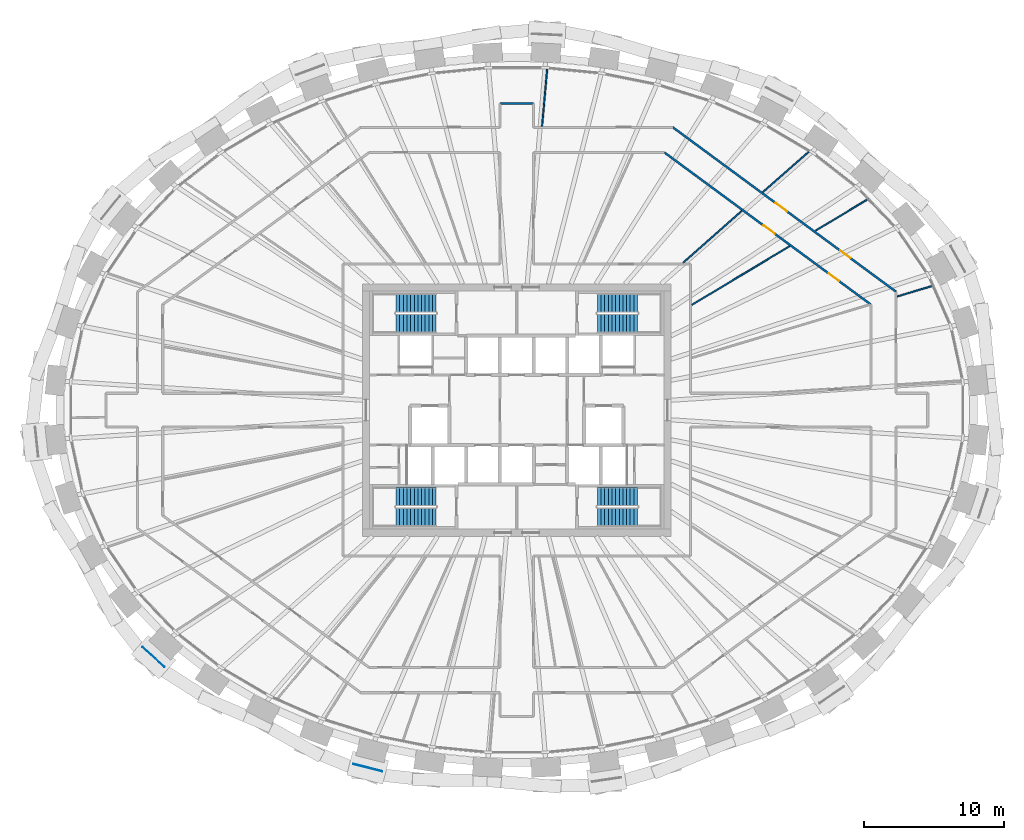
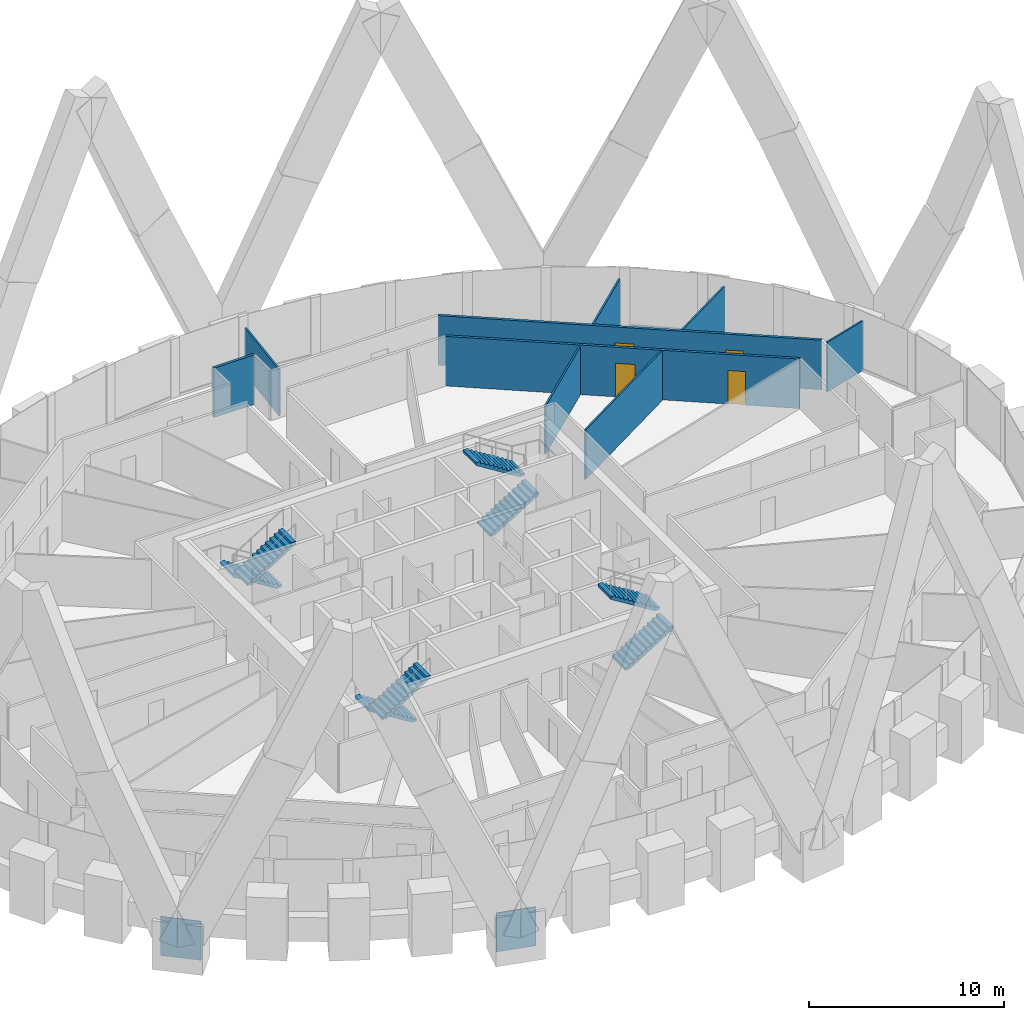
# One storey, part 12 of 14: 9 walls, 8 stair flights, 4 doors, 2 discrete accessories, 4 openings, 4 elements without a shape of their own.
"""IFC4 building model written with IfcOpenShell, lengths in metres."""

import ifcopenshell
import ifcopenshell.guid

model = None  # the IFC model being written
_history = None  # IfcOwnerHistory: only IFC2X3 demands one
_inside = {}  # id of a spatial element -> (the spatial element, [elements in it])
_under = {}  # id of a project, library or spatial element -> (it, [spatial elements below it])
_declared = {}  # id of a project -> (the project, [libraries it declares])
_typed = {}  # id of a type object -> (the type object, [elements of that type])
_made_of = {}  # id of a material, layer set ... -> (it, [elements and type objects made of it])


def new_model(schema):
    """Start an empty IFC model of exactly this schema.

    Asked for "IFC4X3", IfcOpenShell would pick the latest addendum, in which some entities
    have other attributes; the version numbers below select the first issue.
    IFC2X3 requires an IfcOwnerHistory on every rooted entity: one is made here for all.
    """
    global model, _history
    if schema == "IFC4X3":
        model = ifcopenshell.file(schema_version=(4, 3, 0, 0))
    else:
        model = ifcopenshell.file(schema=schema)
    _inside.clear()
    _under.clear()
    _declared.clear()
    _typed.clear()
    _made_of.clear()
    _history = None
    if model.schema == "IFC2X3":
        org = make("IfcOrganization", Name="unknown")
        user = make(
            "IfcPersonAndOrganization",
            ThePerson=make("IfcPerson", FamilyName="unknown"),
            TheOrganization=org,
        )
        app = make(
            "IfcApplication",
            ApplicationDeveloper=org,
            Version="unknown",
            ApplicationFullName="unknown",
            ApplicationIdentifier="unknown",
        )
        _history = make(
            "IfcOwnerHistory",
            OwningUser=user,
            OwningApplication=app,
            ChangeAction="ADDED",
            CreationDate=0,
        )
    return model


def make(cls, **values):
    """One entity of the class cls with the attributes given. An attribute that is None is left unset."""
    return model.create_entity(
        cls, **{name: value for name, value in values.items() if value is not None}
    )


def rooted(cls, **values):
    """An entity with a GlobalId (a new one), such as an element, a storey or a relation."""
    return make(cls, GlobalId=ifcopenshell.guid.new(), OwnerHistory=_history, **values)


def si_unit(unit_type, name, prefix=None):
    """IfcSIUnit, for example si_unit("LENGTHUNIT", "METRE", prefix="MILLI")."""
    return make("IfcSIUnit", UnitType=unit_type, Prefix=prefix, Name=name)


def assignment(units):
    """IfcUnitAssignment: the units of a project."""
    return None if units is None else make("IfcUnitAssignment", Units=units)


def point(xyz):
    """IfcCartesianPoint."""
    return None if xyz is None else make("IfcCartesianPoint", Coordinates=xyz)


def direction(xyz):
    """IfcDirection."""
    return None if xyz is None else make("IfcDirection", DirectionRatios=xyz)


def frame(location, z_axis=None, x_axis=None):
    """IfcAxis2Placement3D, a coordinate frame: its origin and axes. An axis left out is left unset."""
    return make(
        "IfcAxis2Placement3D",
        Location=point(location),
        Axis=direction(z_axis),
        RefDirection=direction(x_axis),
    )


def frame_2d(location, x_axis=None):
    """IfcAxis2Placement2D, a coordinate frame in the plane: its origin and x axis."""
    return make(
        "IfcAxis2Placement2D", Location=point(location), RefDirection=direction(x_axis)
    )


def origin():
    """The frame at (0, 0, 0) with its axes left unset."""
    return frame((0.0, 0.0, 0.0))


def origin_2d():
    """The frame at (0, 0) in the plane with its x axis left unset."""
    return frame_2d((0.0, 0.0))


def place(relative_to, where):
    """IfcLocalPlacement: puts the frame where relative to a parent placement (None: the world)."""
    return make(
        "IfcLocalPlacement", PlacementRelTo=relative_to, RelativePlacement=where
    )


def context(
    kind, dimensions, precision=None, world=None, true_north=None, identifier=None
):
    """IfcGeometricRepresentationContext, for example the 3D "Model" context."""
    return make(
        "IfcGeometricRepresentationContext",
        ContextIdentifier=identifier,
        ContextType=kind,
        CoordinateSpaceDimension=dimensions,
        Precision=precision,
        WorldCoordinateSystem=world,
        TrueNorth=true_north,
    )


def subcontext(parent, identifier, kind, view, scale=None):
    """IfcGeometricRepresentationSubContext, for example "Body" below "Model"."""
    return make(
        "IfcGeometricRepresentationSubContext",
        ContextIdentifier=identifier,
        ContextType=kind,
        ParentContext=parent,
        TargetScale=scale,
        TargetView=view,
    )


def project(units=None, contexts=None):
    """IfcProject with its units and contexts."""
    return rooted(
        "IfcProject",
        Name="project",
        RepresentationContexts=contexts,
        UnitsInContext=assignment(units),
    )


def spatial(cls, under=None, at=None, **own):
    """A site, building, storey or space (cls), placed at a placement, below another one or the project."""
    s = rooted(cls, ObjectPlacement=at, **own)
    if under is not None:
        _under.setdefault(under.id(), (under, []))[1].append(s)
    return s


def polyline(points):
    """IfcPolyline through the points."""
    return make("IfcPolyline", Points=[point(p) for p in points])


def profile(cls, at=None, kind="AREA", **sizes):
    """A parametric profile (cls). Its sizes go by their IFC names, for example OverallWidth=200.0."""
    return make(cls, ProfileType=kind, Position=at, **sizes)


def rectangle(**sizes):
    """IfcRectangleProfileDef."""
    return profile("IfcRectangleProfileDef", **sizes)


def outline(outer, holes=None, kind="AREA"):
    """IfcArbitraryClosedProfileDef: a profile drawn as a closed curve; with holes, ...WithVoids."""
    if holes is None:
        return make("IfcArbitraryClosedProfileDef", ProfileType=kind, OuterCurve=outer)
    return make(
        "IfcArbitraryProfileDefWithVoids",
        ProfileType=kind,
        OuterCurve=outer,
        InnerCurves=holes,
    )


def extrude(swept, where, along, depth):
    """IfcExtrudedAreaSolid: the profile swept, set in the frame where, extruded along a direction by depth."""
    return make(
        "IfcExtrudedAreaSolid",
        SweptArea=swept,
        Position=where,
        ExtrudedDirection=direction(along),
        Depth=depth,
    )


def shape(context_of_items, identifier, shape_type, items):
    """IfcShapeRepresentation: the items that make up one representation, for example the "Body"."""
    return make(
        "IfcShapeRepresentation",
        ContextOfItems=context_of_items,
        RepresentationIdentifier=identifier,
        RepresentationType=shape_type,
        Items=items,
    )


def source(mapping_origin, context_of_items, identifier, shape_type, items):
    """IfcRepresentationMap: a shape defined once, which mapped items show again and again."""
    return make(
        "IfcRepresentationMap",
        MappingOrigin=mapping_origin,
        MappedRepresentation=shape(context_of_items, identifier, shape_type, items),
    )


def transform(
    local_origin,
    x_axis=None,
    y_axis=None,
    z_axis=None,
    scale=None,
    scale2=None,
    scale3=None,
    uniform=True,
):
    """IfcCartesianTransformationOperator3D, or its non-uniform kind. x_axis, y_axis, z_axis: its Axis1, 2, 3."""
    if uniform:
        return make(
            "IfcCartesianTransformationOperator3D",
            Axis1=direction(x_axis),
            Axis2=direction(y_axis),
            LocalOrigin=point(local_origin),
            Scale=scale,
            Axis3=direction(z_axis),
        )
    return make(
        "IfcCartesianTransformationOperator3DnonUniform",
        Axis1=direction(x_axis),
        Axis2=direction(y_axis),
        LocalOrigin=point(local_origin),
        Scale=scale,
        Axis3=direction(z_axis),
        Scale2=scale2,
        Scale3=scale3,
    )


def mapped(mapping_source, mapping_target):
    """IfcMappedItem: shows the shape of a source again, moved by a transform."""
    return make(
        "IfcMappedItem", MappingSource=mapping_source, MappingTarget=mapping_target
    )


def material(Name=None, Category=None):
    """IfcMaterial."""
    return make("IfcMaterial", Name=Name, Category=Category)


def layer(
    of_material, thickness, ventilated=None, Name=None, Category=None, Priority=None
):
    """IfcMaterialLayer: one layer of a wall or slab, of a material (None: an air gap)."""
    return make(
        "IfcMaterialLayer",
        Material=of_material,
        LayerThickness=thickness,
        IsVentilated=ventilated,
        Name=Name,
        Category=Category,
        Priority=Priority,
    )


def layer_set(layers, Name=None):
    """IfcMaterialLayerSet."""
    return make("IfcMaterialLayerSet", MaterialLayers=layers, LayerSetName=Name)


def made_of(thing, what):
    """Note that an element or type object is made of a material, layer set ...; save() writes the relation."""
    if what is not None:
        _made_of.setdefault(what.id(), (what, []))[1].append(thing)
    return thing


def type_object(cls, material=None, **own):
    """A type object (cls), such as IfcWallType, which elements share."""
    return made_of(rooted(cls, **own), material)


def element(
    cls,
    number,
    at=None,
    inside=None,
    cuts=None,
    type_object=None,
    material=None,
    context=None,
    identifier="Body",
    shape_type=None,
    held_by="IfcProductDefinitionShape",
    body=None,
    shapes=None,
    **own,
):
    """One element of the class cls, such as IfcWall. Its Tag is "e" and its number.

    at: its placement. inside: the storey or other place that contains it. cuts: it is an
    opening in that element (IfcRelVoidsElement). A single representation is given by context,
    identifier, shape_type and body (its items); several are given by shapes. held_by: the class
    of the entity that holds the representations. save() writes the other relations.
    """
    e = rooted(cls, Tag="e%d" % number, ObjectPlacement=at, **own)
    if body is not None:
        shapes = [shape(context, identifier, shape_type, body)]
    if shapes is not None:
        e.Representation = make(held_by, Representations=shapes)
    if inside is not None:
        _inside.setdefault(inside.id(), (inside, []))[1].append(e)
    if cuts is not None:
        rooted(
            "IfcRelVoidsElement", RelatingBuildingElement=cuts, RelatedOpeningElement=e
        )
    if type_object is not None:
        _typed.setdefault(type_object.id(), (type_object, []))[1].append(e)
    return made_of(e, material)


def fill(opening, filler):
    """IfcRelFillsElement: the door or window that sits in an opening."""
    return rooted(
        "IfcRelFillsElement",
        RelatingOpeningElement=opening,
        RelatedBuildingElement=filler,
    )


def aggregate(whole, parts):
    """IfcRelAggregates: a whole, such as a stair, and the parts it consists of."""
    return rooted("IfcRelAggregates", RelatingObject=whole, RelatedObjects=parts)


def save(model, path):
    """Write the relations noted so far, then the file.

    IfcRelAggregates (storeys below a building ...), IfcRelContainedInSpatialStructure (elements
    in a storey), IfcRelDefinesByType, IfcRelAssociatesMaterial and IfcRelDeclares: one each for
    every whole, place, type object, material and project.
    """
    for whole, parts in _under.values():
        aggregate(whole, parts)
    for where, things in _inside.values():
        rooted(
            "IfcRelContainedInSpatialStructure",
            RelatedElements=things,
            RelatingStructure=where,
        )
    for kind, things in _typed.values():
        rooted("IfcRelDefinesByType", RelatedObjects=things, RelatingType=kind)
    for what, things in _made_of.values():
        rooted("IfcRelAssociatesMaterial", RelatedObjects=things, RelatingMaterial=what)
    for by, libraries in _declared.values():
        rooted("IfcRelDeclares", RelatingContext=by, RelatedDefinitions=libraries)
    model.write(path)


model = new_model("IFC4")

# Units and contexts
model_context = context("Model", 3, precision=1e-05, world=origin(), true_north=direction((0.0, 1.0)))
body_context = subcontext(model_context, "Body", "Model", "MODEL_VIEW")
ifc_project = project(units=[si_unit("LENGTHUNIT", "METRE"), si_unit("AREAUNIT", "SQUARE_METRE"), si_unit("VOLUMEUNIT", "CUBIC_METRE"), si_unit("PLANEANGLEUNIT", "RADIAN"), si_unit("MASSUNIT", "GRAM", prefix="KILO")], contexts=[model_context])

# Site, building, storey
site_placement = place(None, origin())
site = spatial("IfcSite", under=ifc_project, at=site_placement, CompositionType="ELEMENT")
building_placement = place(site_placement, origin())
building = spatial("IfcBuilding", under=site, at=building_placement, Name="Embergate Tower", CompositionType="ELEMENT")
storey_placement = place(building_placement, frame((0.0, 0.0, 257.800048828125)))
storey = spatial("IfcBuildingStorey", under=building, at=storey_placement, Name="L59", CompositionType="ELEMENT", Elevation=257.800048828125)

# Wall
ifc_material_1 = material(Name="Corridor wall dry-lined 150")
ifc_layer_1 = layer(ifc_material_1, 0.14990234375)
ifc_layer_set_1 = layer_set([ifc_layer_1], Name="Corridor wall dry-lined 150")
wall_type_1 = type_object("IfcWallType", Name="Corridor wall dry-lined 150", PredefinedType="PARTITIONING", material=ifc_layer_set_1)
shared_shape_1 = source(origin(), body_context, "Body", "SweptSolid", [
    extrude(rectangle(XDim=2.39990234375, YDim=0.14990234375, at=frame_2d((1.199951171875, 0.0))), origin(), (0.0, 0.0, 1.0), 3.099853515625),
])
wall_1_placement = place(storey_placement, frame((-1.199951171875, 21.845947265625, 0.0), z_axis=(0.0, 0.0, 1.0), x_axis=(1.0, 0.0, 0.0)))
element("IfcWall", 1, at=wall_1_placement, inside=storey, type_object=wall_type_1, Name="IP-2 wall", PredefinedType="PARTITIONING", context=body_context, shape_type="MappedRepresentation", body=[
    mapped(shared_shape_1, transform((0.0, 0.0, 0.0))),
])

# Wall, openings, doors
shared_shape_2 = source(origin(), body_context, "Body", "SweptSolid", [
    extrude(rectangle(XDim=19.77294921875, YDim=0.14990234375, at=frame_2d((9.886474609375, 0.0))), origin(), (0.0, 0.0, 1.0), 3.099853515625),
])
wall_2_placement = place(storey_placement, frame((27.0458984375, 8.431884765625, 0.0), z_axis=(0.0, 0.0, 1.0), x_axis=(-0.805138380898, 0.593086998344, 0.0)))
wall_2 = element("IfcWall", 2, at=wall_2_placement, inside=storey, type_object=wall_type_1, Name="IP-2 wall", PredefinedType="PARTITIONING", context=body_context, shape_type="MappedRepresentation", body=[
    mapped(shared_shape_2, transform((0.0, 0.0, 0.0))),
])
shared_shape_3 = source(origin(), body_context, "Body", "SweptSolid", [
    extrude(rectangle(XDim=0.89990234375, YDim=2.10009765625, at=frame_2d((0.449951171875, 1.050048828125))), frame((0.0, 0.0849609375, 0.0), z_axis=(0.0, -1.0, 0.0), x_axis=(1.0, 0.0, 0.0)), (0.0, 0.0, 1.0), 0.169921875),
])
opening_1_placement = place(wall_2_placement, frame((4.04248046875, 0.0, 0.0)))
opening_1 = element("IfcOpeningElement", 3, at=opening_1_placement, cuts=wall_2, Name="Opening IF-1c", PredefinedType="OPENING", context=body_context, shape_type="MappedRepresentation", body=[
    mapped(shared_shape_3, transform((0.0, 0.0, 0.0))),
])
shared_shape_4 = source(origin(), body_context, "Body", "SweptSolid", [
    extrude(rectangle(XDim=1.0, YDim=2.10009765625, at=frame_2d((0.5, 1.050048828125))), frame((0.0, 0.0849609375, 0.0), z_axis=(0.0, -1.0, 0.0), x_axis=(1.0, 0.0, 0.0)), (0.0, 0.0, 1.0), 0.169921875),
])
opening_2_placement = place(wall_2_placement, frame((9.669677734375, 0.0, 0.0)))
opening_2 = element("IfcOpeningElement", 4, at=opening_2_placement, cuts=wall_2, Name="Opening ID-2", PredefinedType="OPENING", context=body_context, shape_type="MappedRepresentation", body=[
    mapped(shared_shape_4, transform((0.0, 0.0, 0.0))),
])
ifc_material_2 = material(Name="Escape fire door 900")
door_type_1 = type_object("IfcDoorType", Name="Escape fire door 900", OperationType="SINGLE_SWING_LEFT", PredefinedType="DOOR", material=ifc_material_2)
shared_shape_5 = source(origin(), body_context, "Body", "SweptSolid", [
    extrude(rectangle(XDim=0.89990234375, YDim=2.10009765625, at=frame_2d((0.449951171875, 1.050048828125))), frame((0.0, 0.02490234375, 0.0), z_axis=(0.0, -1.0, 0.0), x_axis=(1.0, 0.0, 0.0)), (0.0, 0.0, 1.0), 0.050048828125),
])
door_1_placement = place(opening_1_placement, origin())
door_1 = element("IfcDoor", 5, at=door_1_placement, inside=storey, type_object=door_type_1, Name="IF-1 door", OperationType="SINGLE_SWING_RIGHT", OverallHeight=2.10009765625, OverallWidth=0.89990234375, PredefinedType="DOOR", context=body_context, shape_type="MappedRepresentation", body=[
    mapped(shared_shape_5, transform((0.0, 0.0, 0.0))),
])
fill(opening_1, door_1)
ifc_material_3 = material(Name="Interior door 1000")
door_type_2 = type_object("IfcDoorType", Name="Interior door 1000", OperationType="SINGLE_SWING_LEFT", PredefinedType="DOOR", material=ifc_material_3)
shared_shape_6 = source(origin(), body_context, "Body", "SweptSolid", [
    extrude(rectangle(XDim=1.0, YDim=2.10009765625, at=frame_2d((0.5, 1.050048828125))), frame((0.0, 0.02490234375, 0.0), z_axis=(0.0, -1.0, 0.0), x_axis=(1.0, 0.0, 0.0)), (0.0, 0.0, 1.0), 0.050048828125),
])
door_2_placement = place(opening_2_placement, origin())
door_2 = element("IfcDoor", 6, at=door_2_placement, inside=storey, type_object=door_type_2, Name="ID-2 door", OperationType="SINGLE_SWING_RIGHT", OverallHeight=2.10009765625, OverallWidth=1.0, PredefinedType="DOOR", context=body_context, shape_type="MappedRepresentation", body=[
    mapped(shared_shape_6, transform((0.0, 0.0, 0.0))),
])
fill(opening_2, door_2)

shared_shape_7 = source(origin(), body_context, "Body", "SweptSolid", [
    extrude(rectangle(XDim=18.254638671875, YDim=0.14990234375, at=frame_2d((9.12744140625, 0.0))), origin(), (0.0, 0.0, 1.0), 3.099853515625),
])
wall_3_placement = place(storey_placement, frame((10.533935546875, 18.35888671875, 0.0), z_axis=(0.0, 0.0, 1.0), x_axis=(0.80516507409, -0.593050759603, 0.0)))
wall_3 = element("IfcWall", 7, at=wall_3_placement, inside=storey, type_object=wall_type_1, Name="IP-2 wall", PredefinedType="PARTITIONING", context=body_context, shape_type="MappedRepresentation", body=[
    mapped(shared_shape_7, transform((0.0, 0.0, 0.0))),
])
opening_3_placement = place(wall_3_placement, frame((14.544677734375, 0.0, 0.0)))
opening_3 = element("IfcOpeningElement", 8, at=opening_3_placement, cuts=wall_3, Name="Opening IF-1c", PredefinedType="OPENING", context=body_context, shape_type="MappedRepresentation", body=[
    mapped(shared_shape_3, transform((0.0, 0.0, 0.0))),
])
opening_4_placement = place(wall_3_placement, frame((8.76171875, 0.0, 0.0)))
opening_4 = element("IfcOpeningElement", 9, at=opening_4_placement, cuts=wall_3, Name="Opening ID-2", PredefinedType="OPENING", context=body_context, shape_type="MappedRepresentation", body=[
    mapped(shared_shape_4, transform((0.0, 0.0, 0.0))),
])
door_3_placement = place(opening_3_placement, origin())
door_3 = element("IfcDoor", 10, at=door_3_placement, inside=storey, type_object=door_type_1, Name="IF-1 door", OperationType="SINGLE_SWING_LEFT", OverallHeight=2.10009765625, OverallWidth=0.89990234375, PredefinedType="DOOR", context=body_context, shape_type="MappedRepresentation", body=[
    mapped(shared_shape_5, transform((0.0, 0.0, 0.0))),
])
fill(opening_3, door_3)
door_4_placement = place(opening_4_placement, origin())
door_4 = element("IfcDoor", 11, at=door_4_placement, inside=storey, type_object=door_type_2, Name="ID-2 door", OperationType="SINGLE_SWING_LEFT", OverallHeight=2.10009765625, OverallWidth=1.0, PredefinedType="DOOR", context=body_context, shape_type="MappedRepresentation", body=[
    mapped(shared_shape_6, transform((0.0, 0.0, 0.0))),
])
fill(opening_4, door_4)

# Walls
ifc_material_4 = material(Name="Partition dry-lined 100")
ifc_layer_2 = layer(ifc_material_4, 0.10009765625)
ifc_layer_set_2 = layer_set([ifc_layer_2], Name="Partition dry-lined 100")
wall_type_2 = type_object("IfcWallType", Name="Partition dry-lined 100", PredefinedType="PARTITIONING", material=ifc_layer_set_2)
shared_shape_8 = source(origin(), body_context, "Body", "SweptSolid", [
    extrude(rectangle(XDim=2.689453125, YDim=0.10009765625, at=frame_2d((1.3447265625, 0.0))), origin(), (0.0, 0.0, 1.0), 3.099853515625),
])
wall_4_placement = place(storey_placement, frame((27.135009765625, 8.10107421875, 0.0), z_axis=(0.0, 0.0, 1.0), x_axis=(0.958138021402, 0.286306709569, 0.0)))
element("IfcWall", 12, at=wall_4_placement, inside=storey, type_object=wall_type_2, Name="IP-1 wall", PredefinedType="PARTITIONING", context=body_context, shape_type="MappedRepresentation", body=[
    mapped(shared_shape_8, transform((0.0, 0.0, 0.0))),
])
shared_shape_9 = source(origin(), body_context, "Body", "SweptSolid", [
    extrude(rectangle(XDim=4.44287109375, YDim=0.10009765625, at=frame_2d((2.221435546875, 0.0))), origin(), (0.0, 0.0, 1.0), 3.099853515625),
])
wall_5_placement = place(storey_placement, frame((21.29296875, 12.787109375, 0.0), z_axis=(0.0, 0.0, 1.0), x_axis=(0.857352282665, 0.51473008792, 0.0)))
element("IfcWall", 13, at=wall_5_placement, inside=storey, type_object=wall_type_2, Name="IP-1 wall", PredefinedType="PARTITIONING", context=body_context, shape_type="MappedRepresentation", body=[
    mapped(shared_shape_9, transform((0.0, 0.0, 0.0))),
])
shared_shape_10 = source(origin(), body_context, "Body", "SweptSolid", [
    extrude(rectangle(XDim=4.441162109375, YDim=0.10009765625, at=frame_2d((2.220703125, 0.0))), origin(), (0.0, 0.0, 1.0), 3.0),
])
wall_6_placement = place(storey_placement, frame((17.550048828125, 15.532958984375, 0.0), z_axis=(0.0, 0.0, 1.0), x_axis=(0.748890576849, 0.662693672753, 0.0)))
element("IfcWall", 14, at=wall_6_placement, inside=storey, type_object=wall_type_2, Name="IP-1 wall", PredefinedType="PARTITIONING", context=body_context, shape_type="MappedRepresentation", body=[
    mapped(shared_shape_10, transform((0.0, 0.0, 0.0))),
])
shared_shape_11 = source(origin(), body_context, "Body", "SweptSolid", [
    extrude(rectangle(XDim=8.101318359375, YDim=0.10009765625, at=frame_2d((4.05078125, 0.0))), origin(), (0.0, 0.0, 1.0), 3.099853515625),
])
wall_7_placement = place(storey_placement, frame((12.5009765625, 7.507080078125, 0.0), z_axis=(0.0, 0.0, 1.0), x_axis=(0.857282787612, 0.514845823586, 0.0)))
element("IfcWall", 15, at=wall_7_placement, inside=storey, type_object=wall_type_2, Name="IP-1 wall", PredefinedType="PARTITIONING", context=body_context, shape_type="MappedRepresentation", body=[
    mapped(shared_shape_11, transform((0.0, 0.0, 0.0))),
])
shared_shape_12 = source(origin(), body_context, "Body", "SweptSolid", [
    extrude(rectangle(XDim=5.559814453125, YDim=0.10009765625, at=frame_2d((2.77978515625, 0.0))), origin(), (0.0, 0.0, 1.0), 3.0),
])
wall_8_placement = place(storey_placement, frame((11.8779296875, 10.511962890625, 0.0), z_axis=(0.0, 0.0, 1.0), x_axis=(0.748788663008, 0.662808824738, 0.0)))
element("IfcWall", 16, at=wall_8_placement, inside=storey, type_object=wall_type_2, Name="IP-1 wall", PredefinedType="PARTITIONING", context=body_context, shape_type="MappedRepresentation", body=[
    mapped(shared_shape_12, transform((0.0, 0.0, 0.0))),
])
shared_shape_13 = source(origin(), body_context, "Body", "SweptSolid", [
    extrude(rectangle(XDim=4.169677734375, YDim=0.10009765625, at=frame_2d((2.0849609375, 0.0))), origin(), (0.0, 0.0, 1.0), 2.89990234375),
])
wall_9_placement = place(storey_placement, frame((1.802978515625, 20.23388671875, 0.0), z_axis=(0.0, 0.0, 1.0), x_axis=(0.088999362653, 0.996031682954, 0.0)))
element("IfcWall", 17, at=wall_9_placement, inside=storey, type_object=wall_type_2, Name="IP-1 wall", PredefinedType="PARTITIONING", context=body_context, shape_type="MappedRepresentation", body=[
    mapped(shared_shape_13, transform((0.0, 0.0, 0.0))),
])

# Stair, stair flights
ifc_material_5 = material(Name="Exit stair")
stair_type = type_object("IfcStairType", Name="Exit stair", PredefinedType="HALF_TURN_STAIR", material=ifc_material_5)
stair_1_placement = place(storey_placement, origin())
stair_1 = element("IfcStair", 18, at=stair_1_placement, inside=storey, type_object=stair_type, Name="L59 Exit stair 1", PredefinedType="HALF_TURN_STAIR")
ifc_material_6 = material(Name="Concrete C40", Category="concrete")
stair_flight_type = type_object("IfcStairFlightType", Name="Stair flight reinforced concrete", PredefinedType="STRAIGHT", material=ifc_material_6)
shared_shape_14 = source(origin(), body_context, "Body", "SweptSolid", [
    extrude(outline(polyline([(0.0, 0.0), (0.0, 0.16259765625), (0.260009765625, 0.16259765625), (0.260009765625, 0.324951171875), (0.52001953125, 0.324951171875), (0.52001953125, 0.487548828125), (0.780029296875, 0.487548828125), (0.780029296875, 0.64990234375), (1.0400390625, 0.64990234375), (1.0400390625, 0.8125), (1.300048828125, 0.8125), (1.300048828125, 0.97509765625), (1.56005859375, 0.97509765625), (1.56005859375, 1.137451171875), (1.820068359375, 1.137451171875), (1.820068359375, 1.300048828125), (2.080078125, 1.300048828125), (2.080078125, 1.46240234375), (2.340087890625, 1.46240234375), (2.340087890625, 1.625), (2.60009765625, 1.625), (2.60009765625, 1.78759765625), (2.860107421875, 1.78759765625), (2.860107421875, 1.949951171875), (2.860107421875, 1.61083984375), (0.28271484375, 0.0), (0.0, 0.0)])), frame((0.0, 0.675048828125, 0.0), z_axis=(0.0, -1.0, 0.0), x_axis=(1.0, 0.0, 0.0)), (0.0, 0.0, 1.0), 1.35009765625),
])
stair_flight_1_placement = place(storey_placement, frame((-5.75, 7.625, 0.0), z_axis=(0.0, 0.0, 1.0), x_axis=(-1.0, 0.0, 0.0)))
stair_flight_1 = element("IfcStairFlight", 19, at=stair_flight_1_placement, type_object=stair_flight_type, Name="ST1 flight 1", NumberOfRisers=12, NumberOfTreads=11, PredefinedType="STRAIGHT", RiserHeight=0.1625, TreadLength=0.26, context=body_context, shape_type="MappedRepresentation", body=[
    mapped(shared_shape_14, transform((0.0, 0.0, 0.0))),
])
stair_flight_2_placement = place(storey_placement, frame((-8.610107421875, 6.175048828125, 1.949951171875), z_axis=(0.0, 0.0, 1.0), x_axis=(1.0, 0.0, 0.0)))
stair_flight_2 = element("IfcStairFlight", 20, at=stair_flight_2_placement, type_object=stair_flight_type, Name="ST1 flight 2", NumberOfRisers=12, NumberOfTreads=11, PredefinedType="STRAIGHT", RiserHeight=0.1625, TreadLength=0.26, context=body_context, shape_type="MappedRepresentation", body=[
    mapped(shared_shape_14, transform((0.0, 0.0, 0.0))),
])
aggregate(stair_1, [stair_flight_1, stair_flight_2])

stair_2_placement = place(storey_placement, origin())
stair_2 = element("IfcStair", 21, at=stair_2_placement, inside=storey, type_object=stair_type, Name="L59 Exit stair 2", PredefinedType="HALF_TURN_STAIR")
stair_flight_3_placement = place(storey_placement, frame((5.75, 6.175048828125, 0.0), z_axis=(0.0, 0.0, 1.0), x_axis=(1.0, 0.0, 0.0)))
stair_flight_3 = element("IfcStairFlight", 22, at=stair_flight_3_placement, type_object=stair_flight_type, Name="ST2 flight 1", NumberOfRisers=12, NumberOfTreads=11, PredefinedType="STRAIGHT", RiserHeight=0.1625, TreadLength=0.26, context=body_context, shape_type="MappedRepresentation", body=[
    mapped(shared_shape_14, transform((0.0, 0.0, 0.0))),
])
stair_flight_4_placement = place(storey_placement, frame((8.610107421875, 7.625, 1.949951171875), z_axis=(0.0, 0.0, 1.0), x_axis=(-1.0, 0.0, 0.0)))
stair_flight_4 = element("IfcStairFlight", 23, at=stair_flight_4_placement, type_object=stair_flight_type, Name="ST2 flight 2", NumberOfRisers=12, NumberOfTreads=11, PredefinedType="STRAIGHT", RiserHeight=0.1625, TreadLength=0.26, context=body_context, shape_type="MappedRepresentation", body=[
    mapped(shared_shape_14, transform((0.0, 0.0, 0.0))),
])
aggregate(stair_2, [stair_flight_3, stair_flight_4])

stair_3_placement = place(storey_placement, origin())
stair_3 = element("IfcStair", 24, at=stair_3_placement, inside=storey, type_object=stair_type, Name="L59 Exit stair 3", PredefinedType="HALF_TURN_STAIR")
stair_flight_5_placement = place(storey_placement, frame((-5.75, -6.175048828125, 0.0), z_axis=(0.0, 0.0, 1.0), x_axis=(-1.0, 0.0, 0.0)))
stair_flight_5 = element("IfcStairFlight", 25, at=stair_flight_5_placement, type_object=stair_flight_type, Name="ST3 flight 1", NumberOfRisers=12, NumberOfTreads=11, PredefinedType="STRAIGHT", RiserHeight=0.1625, TreadLength=0.26, context=body_context, shape_type="MappedRepresentation", body=[
    mapped(shared_shape_14, transform((0.0, 0.0, 0.0))),
])
stair_flight_6_placement = place(storey_placement, frame((-8.610107421875, -7.625, 1.949951171875), z_axis=(0.0, 0.0, 1.0), x_axis=(1.0, 0.0, 0.0)))
stair_flight_6 = element("IfcStairFlight", 26, at=stair_flight_6_placement, type_object=stair_flight_type, Name="ST3 flight 2", NumberOfRisers=12, NumberOfTreads=11, PredefinedType="STRAIGHT", RiserHeight=0.1625, TreadLength=0.26, context=body_context, shape_type="MappedRepresentation", body=[
    mapped(shared_shape_14, transform((0.0, 0.0, 0.0))),
])
aggregate(stair_3, [stair_flight_5, stair_flight_6])

stair_4_placement = place(storey_placement, origin())
stair_4 = element("IfcStair", 27, at=stair_4_placement, inside=storey, type_object=stair_type, Name="L59 Exit stair 4", PredefinedType="HALF_TURN_STAIR")
stair_flight_7_placement = place(storey_placement, frame((5.75, -7.625, 0.0), z_axis=(0.0, 0.0, 1.0), x_axis=(1.0, 0.0, 0.0)))
stair_flight_7 = element("IfcStairFlight", 28, at=stair_flight_7_placement, type_object=stair_flight_type, Name="ST4 flight 1", NumberOfRisers=12, NumberOfTreads=11, PredefinedType="STRAIGHT", RiserHeight=0.1625, TreadLength=0.26, context=body_context, shape_type="MappedRepresentation", body=[
    mapped(shared_shape_14, transform((0.0, 0.0, 0.0))),
])
stair_flight_8_placement = place(storey_placement, frame((8.610107421875, -6.175048828125, 1.949951171875), z_axis=(0.0, 0.0, 1.0), x_axis=(-1.0, 0.0, 0.0)))
stair_flight_8 = element("IfcStairFlight", 29, at=stair_flight_8_placement, type_object=stair_flight_type, Name="ST4 flight 2", NumberOfRisers=12, NumberOfTreads=11, PredefinedType="STRAIGHT", RiserHeight=0.1625, TreadLength=0.26, context=body_context, shape_type="MappedRepresentation", body=[
    mapped(shared_shape_14, transform((0.0, 0.0, 0.0))),
])
aggregate(stair_4, [stair_flight_7, stair_flight_8])

# Discrete accessories
ifc_material_7 = material(Name="Steel Q355D plate", Category="steel")
discrete_accessory_type = type_object("IfcDiscreteAccessoryType", Name="Lattice node plate", PredefinedType="USERDEFINED", material=ifc_material_7)
shared_shape_15 = source(origin(), body_context, "Body", "SweptSolid", [
    extrude(rectangle(XDim=2.1201171875, YDim=0.050048828125, at=origin_2d()), origin(), (0.0, 0.0, 1.0), 2.43994140625),
])
for number, where, z_axis, x_axis, name in (
    (30, (-25.89892578125, -17.623046875, -1.219970703125), (0.0, 0.0, 1.0), (0.74307475021, -0.669208424634, 0.0), "Node plate"),
    (31, (-10.626953125, -25.50390625, -1.219970703125), (0.0, 0.0, 1.0), (0.969144926951, -0.246491603437, 0.0), "Node plate"),
):
    element("IfcDiscreteAccessory", number, at=place(storey_placement, frame(where, z_axis=z_axis, x_axis=x_axis)), inside=storey, type_object=discrete_accessory_type, Name=name, ObjectType="BRACKET", PredefinedType="USERDEFINED", context=body_context, shape_type="MappedRepresentation", body=[
        mapped(shared_shape_15, transform((0.0, 0.0, 0.0))),
    ])

save(model, "model.ifc")
